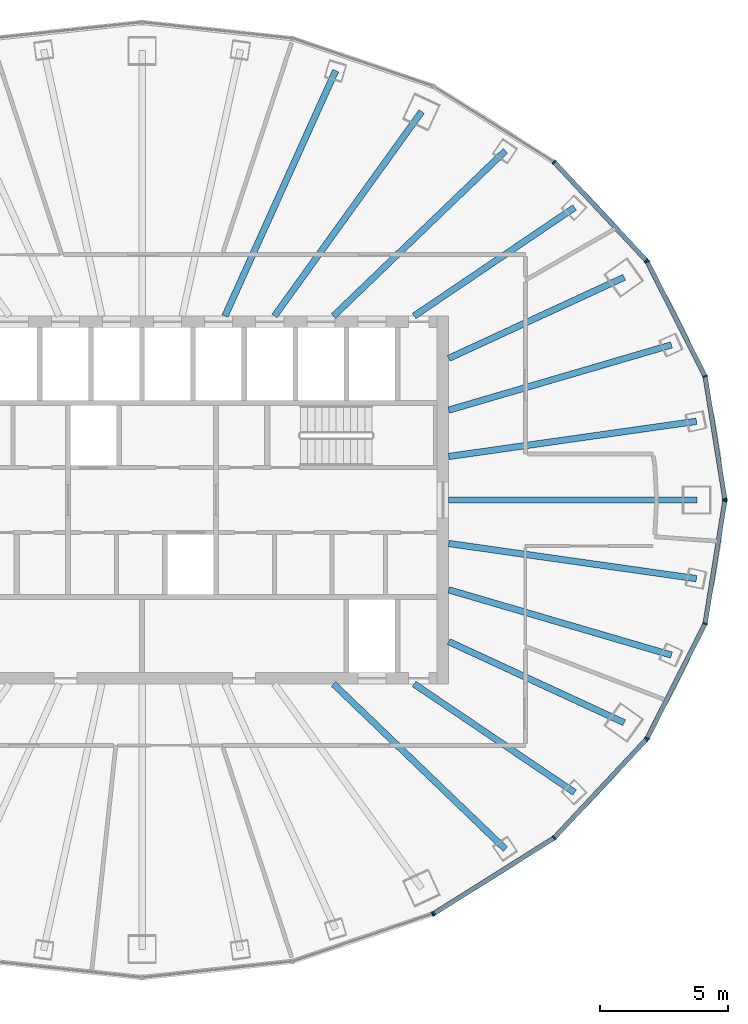
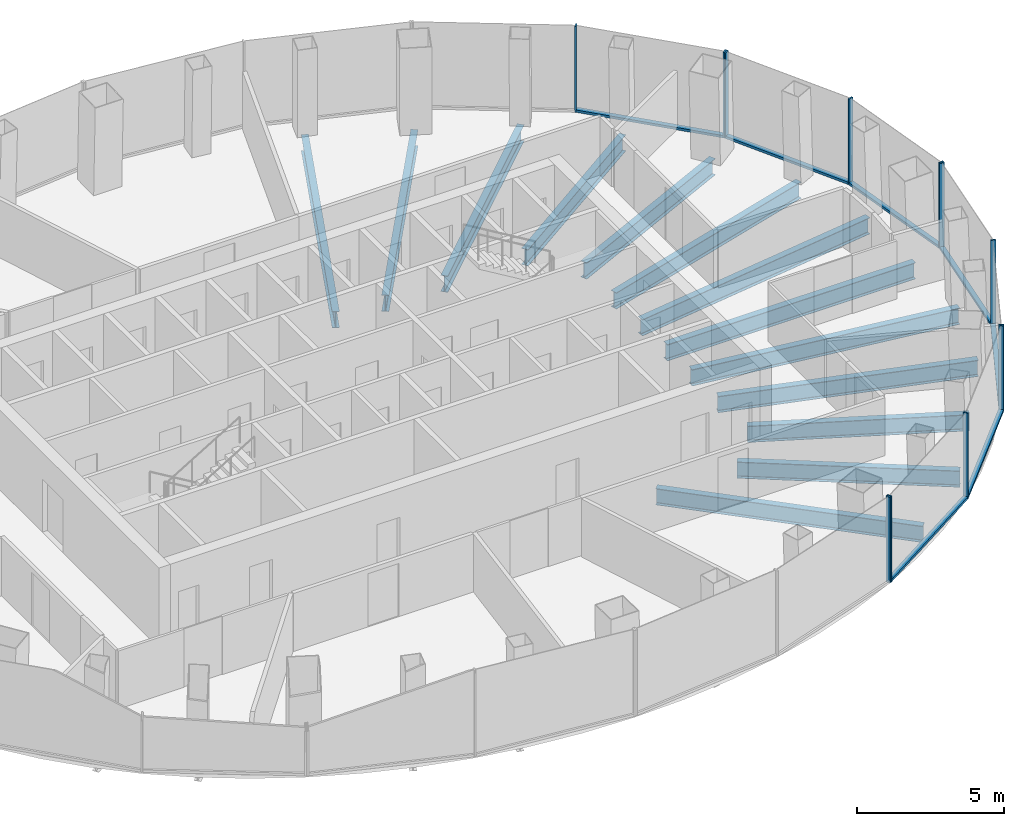
# One storey, part 5 of 11: 19 members, 13 beams, 5 elements without a shape of their own.
"""IFC4 building model written with IfcOpenShell, lengths in metres."""

from ifc_helpers import new_model, si_unit, direction, frame, origin, origin_2d, place, context, subcontext, project, spatial, rectangle, i_section, extrude, material, layer, layer_set, material_profile, profile_set, type_object, element, aggregate, save


model = new_model("IFC4")

# Units and contexts
model_context = context("Model", 3, precision=1e-05, world=origin(), true_north=direction((0.0, 1.0)))
body_context = subcontext(model_context, "Body", "Model", "MODEL_VIEW")
ifc_project = project(units=[si_unit("LENGTHUNIT", "METRE"), si_unit("AREAUNIT", "SQUARE_METRE"), si_unit("VOLUMEUNIT", "CUBIC_METRE"), si_unit("PLANEANGLEUNIT", "RADIAN"), si_unit("MASSUNIT", "GRAM", prefix="KILO")], contexts=[model_context])

# Site, building, storey
site_placement = place(None, origin())
site = spatial("IfcSite", under=ifc_project, at=site_placement, CompositionType="ELEMENT")
building_placement = place(site_placement, origin())
building = spatial("IfcBuilding", under=site, at=building_placement, Name="Siaravel Broadcast Tower", CompositionType="ELEMENT")
storey_placement = place(building_placement, frame((0.0, 0.0, 194.10009765625)))
storey = spatial("IfcBuildingStorey", under=building, at=storey_placement, Name="L47", CompositionType="ELEMENT", Elevation=194.10009765625)

# Beams
ifc_material_1 = material(Name="Steel S355", Category="steel")
ifc_material_profile_1 = material_profile(ifc_material_1, i_section(OverallWidth=0.2529296875, OverallDepth=0.677978515625, WebThickness=0.01171875, FlangeThickness=0.01611328125, FilletRadius=0.01513671875, at=origin_2d()))
ifc_profile_set_1 = profile_set([ifc_material_profile_1], Name="Steel S355")
beam_type = type_object("IfcBeamType", Name="BM-UB 686x254x125", PredefinedType="BEAM", material=ifc_profile_set_1)
beam_1_placement = place(storey_placement, frame((21.724365234375, 0.0, -0.489013671875), z_axis=(-1.0, 0.0, 0.0), x_axis=(0.0, -1.0, 0.0)))
element("IfcBeam", 1, at=beam_1_placement, inside=storey, type_object=beam_type, Name="Radial beam RB01", PredefinedType="BEAM", context=body_context, shape_type="SweptSolid", body=[
    extrude(i_section(OverallWidth=0.2529296875, OverallDepth=0.677978515625, WebThickness=0.01171875, FlangeThickness=0.01611328125, FilletRadius=0.01513671875, at=origin_2d()), origin(), (0.0, 0.0, 1.0), 9.724365234375),
])
beam_2_placement = place(storey_placement, frame((21.695556640625, 3.078125, -0.489013671875), z_axis=(-0.990082682, -0.140485884, 0.0), x_axis=(0.140485884, -0.990082682, 0.0)))
element("IfcBeam", 2, at=beam_2_placement, inside=storey, type_object=beam_type, Name="Radial beam RB02", PredefinedType="BEAM", context=body_context, shape_type="SweptSolid", body=[
    extrude(i_section(OverallWidth=0.2529296875, OverallDepth=0.677978515625, WebThickness=0.01171875, FlangeThickness=0.01611328125, FilletRadius=0.01513671875, at=origin_2d()), origin(), (0.0, 0.0, 1.0), 9.792724609375),
])
beam_3_placement = place(storey_placement, frame((20.716796875, 6.069580078125, -0.489013671875), z_axis=(-0.959657308, -0.28117228, 0.0), x_axis=(0.28117228, -0.959657308, 0.0)))
element("IfcBeam", 3, at=beam_3_placement, inside=storey, type_object=beam_type, Name="Radial beam RB03", PredefinedType="BEAM", context=body_context, shape_type="SweptSolid", body=[
    extrude(i_section(OverallWidth=0.2529296875, OverallDepth=0.677978515625, WebThickness=0.01171875, FlangeThickness=0.01611328125, FilletRadius=0.01513671875, at=origin_2d()), origin(), (0.0, 0.0, 1.0), 9.083251953125),
])
beam_4_placement = place(storey_placement, frame((18.8671875, 8.714111328125, -0.489013671875), z_axis=(-0.907850719, -0.41929354, 0.0), x_axis=(0.41929354, -0.907850719, 0.0)))
element("IfcBeam", 4, at=beam_4_placement, inside=storey, type_object=beam_type, Name="Radial beam RB04", PredefinedType="BEAM", context=body_context, shape_type="SweptSolid", body=[
    extrude(i_section(OverallWidth=0.2529296875, OverallDepth=0.677978515625, WebThickness=0.01171875, FlangeThickness=0.01611328125, FilletRadius=0.01513671875, at=origin_2d()), origin(), (0.0, 0.0, 1.0), 7.564208984375),
])
beam_5_placement = place(storey_placement, frame((16.925537109375, 11.44482421875, -0.489013671875), z_axis=(-0.828389379, -0.560152691, 0.0), x_axis=(0.560152691, -0.828389379, 0.0)))
element("IfcBeam", 5, at=beam_5_placement, inside=storey, type_object=beam_type, Name="Radial beam RB05", PredefinedType="BEAM", context=body_context, shape_type="SweptSolid", body=[
    extrude(i_section(OverallWidth=0.2529296875, OverallDepth=0.677978515625, WebThickness=0.01171875, FlangeThickness=0.01611328125, FilletRadius=0.01513671875, at=origin_2d()), origin(), (0.0, 0.0, 1.0), 7.578125),
])
beam_6_placement = place(storey_placement, frame((14.218017578125, 13.662353515625, -0.489013671875), z_axis=(-0.72104932, -0.69288374, 0.0), x_axis=(0.69288374, -0.72104932, 0.0)))
element("IfcBeam", 6, at=beam_6_placement, inside=storey, type_object=beam_type, Name="Radial beam RB06", PredefinedType="BEAM", context=body_context, shape_type="SweptSolid", body=[
    extrude(i_section(OverallWidth=0.2529296875, OverallDepth=0.677978515625, WebThickness=0.01171875, FlangeThickness=0.01611328125, FilletRadius=0.01513671875, at=origin_2d()), origin(), (0.0, 0.0, 1.0), 9.326904296875),
])
beam_7_placement = place(storey_placement, frame((10.94189453125, 15.196533203125, -0.489013671875), z_axis=(-0.584323001, -0.811521183, 0.0), x_axis=(0.811521183, -0.584323001, 0.0)))
element("IfcBeam", 7, at=beam_7_placement, inside=storey, type_object=beam_type, Name="Radial beam RB07", PredefinedType="BEAM", context=body_context, shape_type="SweptSolid", body=[
    extrude(i_section(OverallWidth=0.2529296875, OverallDepth=0.677978515625, WebThickness=0.01171875, FlangeThickness=0.01611328125, FilletRadius=0.01513671875, at=origin_2d()), origin(), (0.0, 0.0, 1.0), 9.853759765625),
])
beam_8_placement = place(storey_placement, frame((7.577880859375, 16.801513671875, -0.489013671875), z_axis=(-0.411143254, -0.911570746, 0.0), x_axis=(0.911570746, -0.411143254, 0.0)))
element("IfcBeam", 8, at=beam_8_placement, inside=storey, type_object=beam_type, Name="Radial beam RB08", PredefinedType="BEAM", context=body_context, shape_type="SweptSolid", body=[
    extrude(i_section(OverallWidth=0.2529296875, OverallDepth=0.677978515625, WebThickness=0.01171875, FlangeThickness=0.01611328125, FilletRadius=0.01513671875, at=origin_2d()), origin(), (0.0, 0.0, 1.0), 10.532958984375),
])
beam_9_placement = place(storey_placement, frame((14.218017578125, -13.662353515625, -0.489013671875), z_axis=(-0.72104932, 0.69288374, 0.0), x_axis=(-0.69288374, -0.72104932, 0.0)))
element("IfcBeam", 9, at=beam_9_placement, inside=storey, type_object=beam_type, Name="Radial beam RB32", PredefinedType="BEAM", context=body_context, shape_type="SweptSolid", body=[
    extrude(i_section(OverallWidth=0.2529296875, OverallDepth=0.677978515625, WebThickness=0.01171875, FlangeThickness=0.01611328125, FilletRadius=0.01513671875, at=origin_2d()), origin(), (0.0, 0.0, 1.0), 9.326904296875),
])
beam_10_placement = place(storey_placement, frame((16.925537109375, -11.44482421875, -0.489013671875), z_axis=(-0.828389379, 0.560152691, 0.0), x_axis=(-0.560152691, -0.828389379, 0.0)))
element("IfcBeam", 10, at=beam_10_placement, inside=storey, type_object=beam_type, Name="Radial beam RB33", PredefinedType="BEAM", context=body_context, shape_type="SweptSolid", body=[
    extrude(i_section(OverallWidth=0.2529296875, OverallDepth=0.677978515625, WebThickness=0.01171875, FlangeThickness=0.01611328125, FilletRadius=0.01513671875, at=origin_2d()), origin(), (0.0, 0.0, 1.0), 7.578125),
])
beam_11_placement = place(storey_placement, frame((18.8671875, -8.714111328125, -0.489013671875), z_axis=(-0.907850719, 0.41929354, 0.0), x_axis=(-0.41929354, -0.907850719, 0.0)))
element("IfcBeam", 11, at=beam_11_placement, inside=storey, type_object=beam_type, Name="Radial beam RB34", PredefinedType="BEAM", context=body_context, shape_type="SweptSolid", body=[
    extrude(i_section(OverallWidth=0.2529296875, OverallDepth=0.677978515625, WebThickness=0.01171875, FlangeThickness=0.01611328125, FilletRadius=0.01513671875, at=origin_2d()), origin(), (0.0, 0.0, 1.0), 7.564208984375),
])
beam_12_placement = place(storey_placement, frame((20.716796875, -6.069580078125, -0.489013671875), z_axis=(-0.959657308, 0.28117228, 0.0), x_axis=(-0.28117228, -0.959657308, 0.0)))
element("IfcBeam", 12, at=beam_12_placement, inside=storey, type_object=beam_type, Name="Radial beam RB35", PredefinedType="BEAM", context=body_context, shape_type="SweptSolid", body=[
    extrude(i_section(OverallWidth=0.2529296875, OverallDepth=0.677978515625, WebThickness=0.01171875, FlangeThickness=0.01611328125, FilletRadius=0.01513671875, at=origin_2d()), origin(), (0.0, 0.0, 1.0), 9.083251953125),
])
beam_13_placement = place(storey_placement, frame((21.695556640625, -3.078125, -0.489013671875), z_axis=(-0.990082682, 0.140485884, 0.0), x_axis=(-0.140485884, -0.990082682, 0.0)))
element("IfcBeam", 13, at=beam_13_placement, inside=storey, type_object=beam_type, Name="Radial beam RB36", PredefinedType="BEAM", context=body_context, shape_type="SweptSolid", body=[
    extrude(i_section(OverallWidth=0.2529296875, OverallDepth=0.677978515625, WebThickness=0.01171875, FlangeThickness=0.01611328125, FilletRadius=0.01513671875, at=origin_2d()), origin(), (0.0, 0.0, 1.0), 9.792724609375),
])

# Curtain wall, members
ifc_material_2 = material(Name="Aluminium 6063-T6", Category="aluminium")
ifc_layer = layer(ifc_material_2, 0.179931640625)
ifc_layer_set = layer_set([ifc_layer], Name="Aluminium 6063-T6")
curtain_wall_type = type_object("IfcCurtainWallType", Name="Unitised curtain wall, zone 3", PredefinedType="NOTDEFINED", material=ifc_layer_set)
curtain_wall_1_placement = place(storey_placement, origin())
curtain_wall_1 = element("IfcCurtainWall", 14, at=curtain_wall_1_placement, inside=storey, type_object=curtain_wall_type, Name="L47 Unitised curtain wall, zone 3 01", PredefinedType="NOTDEFINED")
ifc_material_profile_2 = material_profile(ifc_material_2, rectangle(XDim=0.179931640625, YDim=0.06005859375, at=origin_2d()))
ifc_profile_set_2 = profile_set([ifc_material_profile_2], Name="Aluminium 6063-T6")
member_type_1 = type_object("IfcMemberType", Name="CW-Z3 mullion", PredefinedType="MULLION", material=ifc_profile_set_2)
member_1_placement = place(storey_placement, frame((22.805419921875, 0.029541015625, 0.0), z_axis=(0.0, 0.0, 1.0), x_axis=(-0.987329188, -0.158685461, 0.0)))
member_1 = element("IfcMember", 15, at=member_1_placement, type_object=member_type_1, Name="CW-Z3 mullion 1", PredefinedType="MULLION", context=body_context, shape_type="SweptSolid", body=[
    extrude(rectangle(XDim=0.179931640625, YDim=0.06005859375, at=origin_2d()), origin(), (0.0, 0.0, 1.0), 3.5498046875),
])
member_2_placement = place(storey_placement, frame((22.0322265625, 4.8408203125, 0.0), z_axis=(0.0, 0.0, 1.0), x_axis=(-0.951177224, -0.308645247, 0.0)))
member_2 = element("IfcMember", 16, at=member_2_placement, type_object=member_type_1, Name="CW-Z3 mullion 2", PredefinedType="MULLION", context=body_context, shape_type="SweptSolid", body=[
    extrude(rectangle(XDim=0.179931640625, YDim=0.06005859375, at=origin_2d()), origin(), (0.0, 0.0, 1.0), 3.5498046875),
])
member_3_placement = place(storey_placement, frame((19.765380859375, 9.323486328125, 0.0), z_axis=(0.0, 0.0, 1.0), x_axis=(-0.892392092, -0.45126085, 0.0)))
member_3 = element("IfcMember", 17, at=member_3_placement, type_object=member_type_1, Name="CW-Z3 mullion 3", PredefinedType="MULLION", context=body_context, shape_type="SweptSolid", body=[
    extrude(rectangle(XDim=0.179931640625, YDim=0.06005859375, at=origin_2d()), origin(), (0.0, 0.0, 1.0), 3.5498046875),
])

curtain_wall_2_placement = place(storey_placement, origin())
curtain_wall_2 = element("IfcCurtainWall", 18, at=curtain_wall_2_placement, inside=storey, type_object=curtain_wall_type, Name="L47 Unitised curtain wall, zone 3 02", PredefinedType="NOTDEFINED")
member_4_placement = place(storey_placement, frame((19.7314453125, 9.372314453125, 0.0), z_axis=(0.0, 0.0, 1.0), x_axis=(-0.729805157, -0.6836552, 0.0)))
member_4 = element("IfcMember", 19, at=member_4_placement, type_object=member_type_1, Name="CW-Z3 mullion 1", PredefinedType="MULLION", context=body_context, shape_type="SweptSolid", body=[
    extrude(rectangle(XDim=0.179931640625, YDim=0.06005859375, at=origin_2d()), origin(), (0.0, 0.0, 1.0), 3.5498046875),
])
member_5_placement = place(storey_placement, frame((16.12548828125, 13.221435546875, 0.0), z_axis=(0.0, 0.0, 1.0), x_axis=(-0.636218507, -0.771508918, 0.0)))
member_5 = element("IfcMember", 20, at=member_5_placement, type_object=member_type_1, Name="CW-Z3 mullion 2", PredefinedType="MULLION", context=body_context, shape_type="SweptSolid", body=[
    extrude(rectangle(XDim=0.179931640625, YDim=0.06005859375, at=origin_2d()), origin(), (0.0, 0.0, 1.0), 3.5498046875),
])

# Curtain wall, member
curtain_wall_3_placement = place(storey_placement, origin())
curtain_wall_3 = element("IfcCurtainWall", 21, at=curtain_wall_3_placement, inside=storey, type_object=curtain_wall_type, Name="L47 Unitised curtain wall, zone 3 10", PredefinedType="NOTDEFINED")
member_6_placement = place(storey_placement, frame((11.373046875, -16.2001953125, 0.0), z_axis=(0.0, 0.0, 1.0), x_axis=(-0.321300458, 0.946977305, 0.0)))
member_6 = element("IfcMember", 22, at=member_6_placement, type_object=member_type_1, Name="CW-Z3 mullion 3", PredefinedType="MULLION", context=body_context, shape_type="SweptSolid", body=[
    extrude(rectangle(XDim=0.179931640625, YDim=0.06005859375, at=origin_2d()), origin(), (0.0, 0.0, 1.0), 3.5498046875),
])
aggregate(curtain_wall_3, [member_6])

# Curtain wall, members
curtain_wall_4_placement = place(storey_placement, origin())
curtain_wall_4 = element("IfcCurtainWall", 23, at=curtain_wall_4_placement, inside=storey, type_object=curtain_wall_type, Name="L47 Unitised curtain wall, zone 3 11", PredefinedType="NOTDEFINED")
member_7_placement = place(storey_placement, frame((11.427001953125, -16.1748046875, 0.0), z_axis=(0.0, 0.0, 1.0), x_axis=(-0.532149052, 0.846650687, 0.0)))
member_7 = element("IfcMember", 24, at=member_7_placement, type_object=member_type_1, Name="CW-Z3 mullion 1", PredefinedType="MULLION", context=body_context, shape_type="SweptSolid", body=[
    extrude(rectangle(XDim=0.179931640625, YDim=0.06005859375, at=origin_2d()), origin(), (0.0, 0.0, 1.0), 3.5498046875),
])
member_8_placement = place(storey_placement, frame((16.12548828125, -13.221435546875, 0.0), z_axis=(0.0, 0.0, 1.0), x_axis=(-0.636218507, 0.771508918, 0.0)))
member_8 = element("IfcMember", 25, at=member_8_placement, type_object=member_type_1, Name="CW-Z3 mullion 2", PredefinedType="MULLION", context=body_context, shape_type="SweptSolid", body=[
    extrude(rectangle(XDim=0.179931640625, YDim=0.06005859375, at=origin_2d()), origin(), (0.0, 0.0, 1.0), 3.5498046875),
])
member_9_placement = place(storey_placement, frame((19.7314453125, -9.372314453125, 0.0), z_axis=(0.0, 0.0, 1.0), x_axis=(-0.729805157, 0.6836552, 0.0)))
member_9 = element("IfcMember", 26, at=member_9_placement, type_object=member_type_1, Name="CW-Z3 mullion 3", PredefinedType="MULLION", context=body_context, shape_type="SweptSolid", body=[
    extrude(rectangle(XDim=0.179931640625, YDim=0.06005859375, at=origin_2d()), origin(), (0.0, 0.0, 1.0), 3.5498046875),
])

curtain_wall_5_placement = place(storey_placement, origin())
curtain_wall_5 = element("IfcCurtainWall", 27, at=curtain_wall_5_placement, inside=storey, type_object=curtain_wall_type, Name="L47 Unitised curtain wall, zone 3 12", PredefinedType="NOTDEFINED")
member_10_placement = place(storey_placement, frame((19.765380859375, -9.323486328125, 0.0), z_axis=(0.0, 0.0, 1.0), x_axis=(-0.892392092, 0.45126085, 0.0)))
member_10 = element("IfcMember", 28, at=member_10_placement, type_object=member_type_1, Name="CW-Z3 mullion 1", PredefinedType="MULLION", context=body_context, shape_type="SweptSolid", body=[
    extrude(rectangle(XDim=0.179931640625, YDim=0.06005859375, at=origin_2d()), origin(), (0.0, 0.0, 1.0), 3.5498046875),
])
member_11_placement = place(storey_placement, frame((22.0322265625, -4.8408203125, 0.0), z_axis=(0.0, 0.0, 1.0), x_axis=(-0.951177224, 0.308645247, 0.0)))
member_11 = element("IfcMember", 29, at=member_11_placement, type_object=member_type_1, Name="CW-Z3 mullion 2", PredefinedType="MULLION", context=body_context, shape_type="SweptSolid", body=[
    extrude(rectangle(XDim=0.179931640625, YDim=0.06005859375, at=origin_2d()), origin(), (0.0, 0.0, 1.0), 3.5498046875),
])
member_12_placement = place(storey_placement, frame((22.805419921875, -0.029541015625, 0.0), z_axis=(0.0, 0.0, 1.0), x_axis=(-0.987329188, 0.158685461, 0.0)))
member_12 = element("IfcMember", 30, at=member_12_placement, type_object=member_type_1, Name="CW-Z3 mullion 3", PredefinedType="MULLION", context=body_context, shape_type="SweptSolid", body=[
    extrude(rectangle(XDim=0.179931640625, YDim=0.06005859375, at=origin_2d()), origin(), (0.0, 0.0, 1.0), 3.5498046875),
])

# Member
ifc_material_profile_3 = material_profile(ifc_material_2, rectangle(XDim=0.179931640625, YDim=0.10009765625, at=origin_2d()))
ifc_profile_set_3 = profile_set([ifc_material_profile_3], Name="Aluminium 6063-T6")
member_type_2 = type_object("IfcMemberType", Name="CW-Z3 transom", PredefinedType="USERDEFINED", material=ifc_profile_set_3)
member_13_placement = place(storey_placement, frame((22.80078125, 0.05908203125, 0.0498046875), z_axis=(-0.158671031, 0.987331507, 0.0), x_axis=(-0.987331507, -0.158671031, 0.0)))
member_13 = element("IfcMember", 31, at=member_13_placement, type_object=member_type_2, Name="CW-Z3 transom 1", ObjectType="TRANSOM", PredefinedType="USERDEFINED", context=body_context, shape_type="SweptSolid", body=[
    extrude(rectangle(XDim=0.179931640625, YDim=0.10009765625, at=origin_2d()), origin(), (0.0, 0.0, 1.0), 4.81298828125),
])

member_14_placement = place(storey_placement, frame((22.018798828125, 4.867431640625, 0.0498046875), z_axis=(-0.45128156, 0.892381619, 0.0), x_axis=(-0.892381619, -0.45128156, 0.0)))
member_14 = element("IfcMember", 32, at=member_14_placement, type_object=member_type_2, Name="CW-Z3 transom 2", ObjectType="TRANSOM", PredefinedType="USERDEFINED", context=body_context, shape_type="SweptSolid", body=[
    extrude(rectangle(XDim=0.179931640625, YDim=0.10009765625, at=origin_2d()), origin(), (0.0, 0.0, 1.0), 4.963623046875),
])

aggregate(curtain_wall_1, [member_1, member_2, member_3, member_13, member_14])

member_15_placement = place(storey_placement, frame((19.710693359375, 9.394287109375, 0.0498046875), z_axis=(-0.683645131, 0.72981459, 0.0), x_axis=(-0.72981459, -0.683645131, 0.0)))
member_15 = element("IfcMember", 33, at=member_15_placement, type_object=member_type_2, Name="CW-Z3 transom 1", ObjectType="TRANSOM", PredefinedType="USERDEFINED", context=body_context, shape_type="SweptSolid", body=[
    extrude(rectangle(XDim=0.179931640625, YDim=0.10009765625, at=origin_2d()), origin(), (0.0, 0.0, 1.0), 5.2138671875),
])

aggregate(curtain_wall_2, [member_4, member_5, member_15])

member_16_placement = place(storey_placement, frame((11.452392578125, -16.15869140625, 0.0498046875), z_axis=(0.846638839, 0.532167902, 0.0), x_axis=(-0.532167902, 0.846638839, 0.0)))
member_16 = element("IfcMember", 34, at=member_16_placement, type_object=member_type_2, Name="CW-Z3 transom 1", ObjectType="TRANSOM", PredefinedType="USERDEFINED", context=body_context, shape_type="SweptSolid", body=[
    extrude(rectangle(XDim=0.179931640625, YDim=0.10009765625, at=origin_2d()), origin(), (0.0, 0.0, 1.0), 5.489501953125),
])

member_17_placement = place(storey_placement, frame((16.146240234375, -13.199462890625, 0.0498046875), z_axis=(0.683645131, 0.72981459, 0.0), x_axis=(-0.72981459, 0.683645131, 0.0)))
member_17 = element("IfcMember", 35, at=member_17_placement, type_object=member_type_2, Name="CW-Z3 transom 2", ObjectType="TRANSOM", PredefinedType="USERDEFINED", context=body_context, shape_type="SweptSolid", body=[
    extrude(rectangle(XDim=0.179931640625, YDim=0.10009765625, at=origin_2d()), origin(), (0.0, 0.0, 1.0), 5.2138671875),
])

aggregate(curtain_wall_4, [member_7, member_8, member_9, member_16, member_17])

member_18_placement = place(storey_placement, frame((19.77880859375, -9.296875, 0.0498046875), z_axis=(0.45128156, 0.892381619, 0.0), x_axis=(-0.892381619, 0.45128156, 0.0)))
member_18 = element("IfcMember", 36, at=member_18_placement, type_object=member_type_2, Name="CW-Z3 transom 1", ObjectType="TRANSOM", PredefinedType="USERDEFINED", context=body_context, shape_type="SweptSolid", body=[
    extrude(rectangle(XDim=0.179931640625, YDim=0.10009765625, at=origin_2d()), origin(), (0.0, 0.0, 1.0), 4.963623046875),
])

member_19_placement = place(storey_placement, frame((22.037109375, -4.81103515625, 0.0498046875), z_axis=(0.158671031, 0.987331507, 0.0), x_axis=(-0.987331507, 0.158671031, 0.0)))
member_19 = element("IfcMember", 37, at=member_19_placement, type_object=member_type_2, Name="CW-Z3 transom 2", ObjectType="TRANSOM", PredefinedType="USERDEFINED", context=body_context, shape_type="SweptSolid", body=[
    extrude(rectangle(XDim=0.179931640625, YDim=0.10009765625, at=origin_2d()), origin(), (0.0, 0.0, 1.0), 4.81298828125),
])

aggregate(curtain_wall_5, [member_10, member_11, member_12, member_18, member_19])

save(model, "model.ifc")
